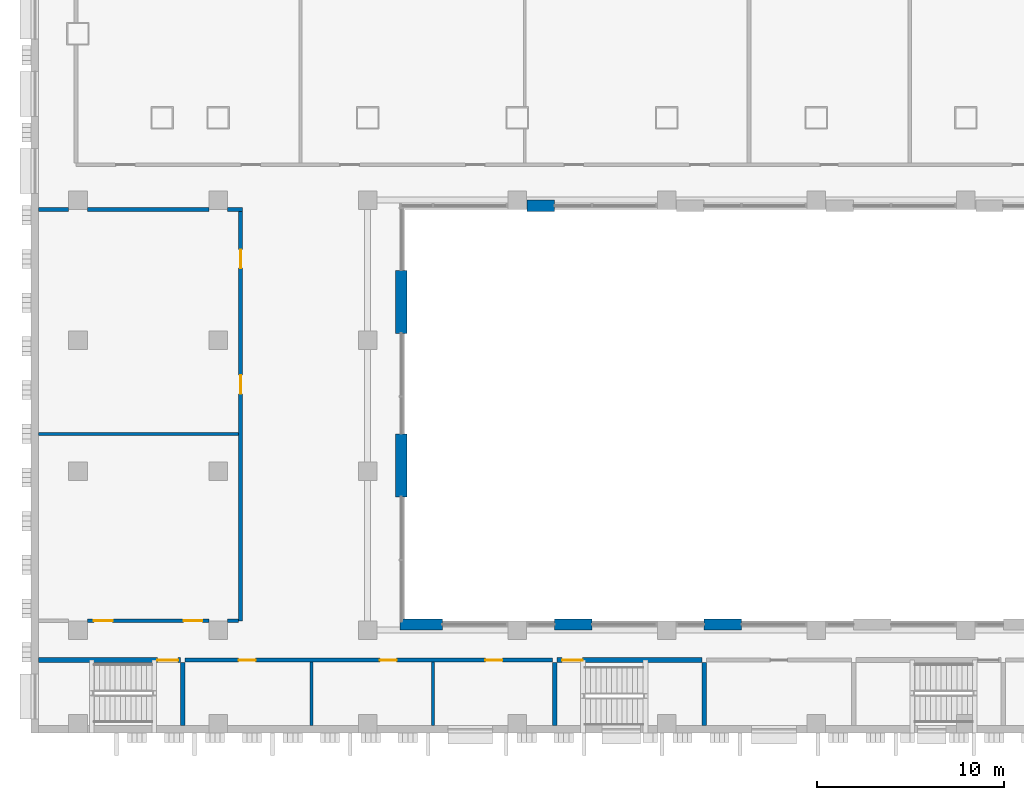
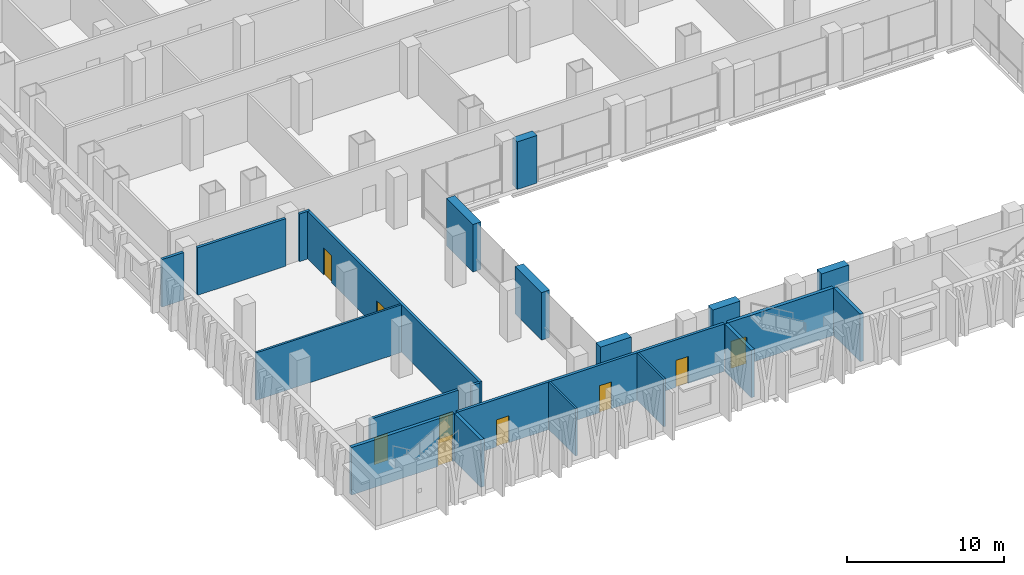
# One storey, part 7 of 25: 21 walls, 9 doors, 9 openings.
"""IFC4 building model written with IfcOpenShell, lengths in metres."""

from ifc_helpers import new_model, si_unit, direction, frame, frame_2d, origin, place, context, subcontext, project, spatial, rectangle, extrude, material, layer, layer_set, type_object, element, fill, save


model = new_model("IFC4")

# Units and contexts
model_context = context("Model", 3, precision=1e-05, world=origin(), true_north=direction((0.0, 1.0)))
body_context = subcontext(model_context, "Body", "Model", "MODEL_VIEW")
ifc_project = project(units=[si_unit("LENGTHUNIT", "METRE"), si_unit("AREAUNIT", "SQUARE_METRE"), si_unit("VOLUMEUNIT", "CUBIC_METRE"), si_unit("PLANEANGLEUNIT", "RADIAN"), si_unit("MASSUNIT", "GRAM", prefix="KILO")], contexts=[model_context])

# Site, building, storey
site_placement = place(None, origin())
site = spatial("IfcSite", under=ifc_project, at=site_placement, CompositionType="ELEMENT")
building_placement = place(site_placement, origin())
building = spatial("IfcBuilding", under=site, at=building_placement, Name="Vidyagriha Tower", CompositionType="ELEMENT")
storey_placement = place(building_placement, frame((0.0, 0.0, 14.0)))
storey = spatial("IfcBuildingStorey", under=building, at=storey_placement, Name="L03", CompositionType="ELEMENT", Elevation=14.0)

# Walls
ifc_material_1 = material(Name="Precast concrete C40/50 with brick facing", Category="concrete")
ifc_layer_1 = layer(ifc_material_1, 0.60009765625)
ifc_layer_set_1 = layer_set([ifc_layer_1], Name="Precast concrete C40/50 with brick facing")
wall_type_1 = type_object("IfcWallType", Name="Brick-faced precast wall 600", PredefinedType="STANDARD", material=ifc_layer_set_1)
for number, where, z_axis, x_axis, name in (
    (1, (-2.0, -44.199951171875, 0.0), (0.0, 0.0, 1.0), (-1.0, 0.0, 0.0), "Brick door bay wall L03 R07.12"),
    (2, (-10.0, -44.199951171875, 0.0), (0.0, 0.0, 1.0), (-1.0, 0.0, 0.0), "Brick door bay wall L03 R07.16"),
):
    element("IfcWall", number, at=place(storey_placement, frame(where, z_axis=z_axis, x_axis=x_axis)), inside=storey, type_object=wall_type_1, Name=name, PredefinedType="STANDARD", context=body_context, shape_type="SweptSolid", body=[
        extrude(rectangle(XDim=2.0, YDim=0.60009765625, at=frame_2d((1.0, 0.0))), origin(), (0.0, 0.0, 1.0), 3.699951171875),
    ])
wall_1_placement = place(storey_placement, frame((-18.0, -44.199951171875, 0.0), z_axis=(0.0, 0.0, 1.0), x_axis=(-1.0, 0.0, 0.0)))
element("IfcWall", 3, at=wall_1_placement, inside=storey, type_object=wall_type_1, Name="Brick door bay wall L03 R07.20", PredefinedType="STANDARD", context=body_context, shape_type="SweptSolid", body=[
    extrude(rectangle(XDim=2.280029296875, YDim=0.60009765625, at=frame_2d((1.14013671875, 0.0))), origin(), (0.0, 0.0, 1.0), 3.699951171875),
])
for number, where, z_axis, x_axis, name in (
    (4, (-20.199951171875, -37.373291015625, 0.0), (0.0, 0.0, 1.0), (0.0, 1.0, 0.0), "Brick door bay wall L03 R08.3"),
    (5, (-20.199951171875, -28.626708984375, 0.0), (0.0, 0.0, 1.0), (0.0, 1.0, 0.0), "Brick door bay wall L03 R08.6"),
):
    element("IfcWall", number, at=place(storey_placement, frame(where, z_axis=z_axis, x_axis=x_axis)), inside=storey, type_object=wall_type_1, Name=name, PredefinedType="STANDARD", context=body_context, shape_type="SweptSolid", body=[
        extrude(rectangle(XDim=3.373291015625, YDim=0.60009765625, at=frame_2d((1.6865234375, 0.0))), origin(), (0.0, 0.0, 1.0), 3.699951171875),
    ])
wall_2_placement = place(storey_placement, frame((-13.469970703125, -21.800048828125, 0.0)))
element("IfcWall", 6, at=wall_2_placement, inside=storey, type_object=wall_type_1, Name="Brick door bay wall L03 R09.4", PredefinedType="STANDARD", context=body_context, shape_type="SweptSolid", body=[
    extrude(rectangle(XDim=1.469970703125, YDim=0.60009765625, at=frame_2d((0.73486328125, 0.0))), origin(), (0.0, 0.0, 1.0), 3.699951171875),
])

# Wall, opening, door
ifc_material_2 = material(Name="Concrete C32/40", Category="concrete")
ifc_layer_2 = layer(ifc_material_2, 0.25)
ifc_layer_set_2 = layer_set([ifc_layer_2], Name="Concrete C32/40")
wall_type_2 = type_object("IfcWallType", Name="Concrete Stair Enclosure Wall 250", PredefinedType="SOLIDWALL", material=ifc_layer_set_2)
wall_3_placement = place(storey_placement, frame((-39.60009765625, -46.10009765625, 0.0)))
wall_3 = element("IfcWall", 7, at=wall_3_placement, inside=storey, type_object=wall_type_2, Name="L03 Concrete Stair Enclosure Wall 250 003", PredefinedType="SOLIDWALL", context=body_context, shape_type="SweptSolid", body=[
    extrude(rectangle(XDim=7.5751953125, YDim=0.25, at=frame_2d((3.78759765625, 0.0))), origin(), (0.0, 0.0, 1.0), 3.699951171875),
])
opening_1_placement = place(wall_3_placement, frame((6.35498046875, 0.0, 0.0)))
opening_1 = element("IfcOpeningElement", 8, at=opening_1_placement, cuts=wall_3, Name="Opening D03-64", PredefinedType="OPENING", context=body_context, shape_type="SweptSolid", body=[
    extrude(rectangle(XDim=1.10009765625, YDim=2.10009765625, at=frame_2d((0.550048828125, 1.050048828125))), frame((0.0, 0.135009765625, 0.0), z_axis=(0.0, -1.0, 0.0), x_axis=(1.0, 0.0, 0.0)), (0.0, 0.0, 1.0), 0.27001953125),
])
ifc_material_3 = material(Name="Steel fire door set", Category="steel")
door_type_1 = type_object("IfcDoorType", Name="Podium Door 1100x2100 EI 90", OperationType="NOTDEFINED", PredefinedType="DOOR", material=ifc_material_3)
door_1_placement = place(opening_1_placement, origin())
door_1 = element("IfcDoor", 9, at=door_1_placement, inside=storey, type_object=door_type_1, Name="L03 door D03-64", OperationType="SINGLE_SWING_RIGHT", OverallHeight=2.10009765625, OverallWidth=1.10009765625, PredefinedType="DOOR", context=body_context, shape_type="SweptSolid", body=[
    extrude(rectangle(XDim=1.10009765625, YDim=2.10009765625, at=frame_2d((0.550048828125, 1.050048828125))), frame((0.0, 0.02490234375, 0.0), z_axis=(0.0, -1.0, 0.0), x_axis=(1.0, 0.0, 0.0)), (0.0, 0.0, 1.0), 0.050048828125),
])
fill(opening_1, door_1)

wall_4_placement = place(storey_placement, frame((-11.875, -46.10009765625, 0.0)))
wall_4 = element("IfcWall", 10, at=wall_4_placement, inside=storey, type_object=wall_type_2, Name="L03 Concrete Stair Enclosure Wall 250 004", PredefinedType="SOLIDWALL", context=body_context, shape_type="SweptSolid", body=[
    extrude(rectangle(XDim=7.75, YDim=0.25, at=frame_2d((3.875, 0.0))), origin(), (0.0, 0.0, 1.0), 3.699951171875),
])
opening_2_placement = place(wall_4_placement, frame((0.27001953125, 0.0, 0.0)))
opening_2 = element("IfcOpeningElement", 11, at=opening_2_placement, cuts=wall_4, Name="Opening D03-66", PredefinedType="OPENING", context=body_context, shape_type="SweptSolid", body=[
    extrude(rectangle(XDim=1.10009765625, YDim=2.10009765625, at=frame_2d((0.550048828125, 1.050048828125))), frame((0.0, 0.135009765625, 0.0), z_axis=(0.0, -1.0, 0.0), x_axis=(1.0, 0.0, 0.0)), (0.0, 0.0, 1.0), 0.27001953125),
])
door_2_placement = place(opening_2_placement, origin())
door_2 = element("IfcDoor", 12, at=door_2_placement, inside=storey, type_object=door_type_1, Name="L03 door D03-66", OperationType="SINGLE_SWING_LEFT", OverallHeight=2.10009765625, OverallWidth=1.10009765625, PredefinedType="DOOR", context=body_context, shape_type="SweptSolid", body=[
    extrude(rectangle(XDim=1.10009765625, YDim=2.10009765625, at=frame_2d((0.550048828125, 1.050048828125))), frame((0.0, 0.02490234375, 0.0), z_axis=(0.0, -1.0, 0.0), x_axis=(1.0, 0.0, 0.0)), (0.0, 0.0, 1.0), 0.050048828125),
])
fill(opening_2, door_2)

# Walls
for number, where, z_axis, x_axis, name in (
    (13, (-31.89990234375, -49.60009765625, 0.0), (0.0, 0.0, 1.0), (0.0, 1.0, 0.0), "L03 Concrete Stair Enclosure Wall 250 044"),
    (14, (-12.0, -49.60009765625, 0.0), (0.0, 0.0, 1.0), (0.0, 1.0, 0.0), "L03 Concrete Stair Enclosure Wall 250 058"),
    (15, (-4.0, -49.60009765625, 0.0), (0.0, 0.0, 1.0), (0.0, 1.0, 0.0), "L03 Concrete Stair Enclosure Wall 250 060"),
):
    element("IfcWall", number, at=place(storey_placement, frame(where, z_axis=z_axis, x_axis=x_axis)), inside=storey, type_object=wall_type_2, Name=name, PredefinedType="SOLIDWALL", context=body_context, shape_type="SweptSolid", body=[
        extrude(rectangle(XDim=3.375, YDim=0.25, at=frame_2d((1.6875, 0.0))), origin(), (0.0, 0.0, 1.0), 3.699951171875),
    ])

# Wall, openings, doors
ifc_material_4 = material(Name="Fire rated gypsum board on light gauge framing")
ifc_layer_3 = layer(ifc_material_4, 0.199951171875)
ifc_layer_set_3 = layer_set([ifc_layer_3], Name="Fire rated gypsum board on light gauge framing")
wall_type_3 = type_object("IfcWallType", Name="Fire Rated Corridor Wall 200", PredefinedType="PARTITIONING", material=ifc_layer_set_3)
wall_5_placement = place(storey_placement, frame((-31.77490234375, -46.10009765625, 0.0)))
wall_5 = element("IfcWall", 16, at=wall_5_placement, inside=storey, type_object=wall_type_3, Name="L03 Fire Rated Corridor Wall 200 000", PredefinedType="PARTITIONING", context=body_context, shape_type="SweptSolid", body=[
    extrude(rectangle(XDim=19.64990234375, YDim=0.199951171875, at=frame_2d((9.824951171875, 0.0))), origin(), (0.0, 0.0, 1.0), 3.699951171875),
])
opening_3_placement = place(wall_5_placement, frame((2.875, 0.0, 0.0)))
opening_3 = element("IfcOpeningElement", 17, at=opening_3_placement, cuts=wall_5, Name="Opening D03-22", PredefinedType="OPENING", context=body_context, shape_type="SweptSolid", body=[
    extrude(rectangle(XDim=0.89990234375, YDim=2.10009765625, at=frame_2d((0.449951171875, 1.050048828125))), frame((0.0, 0.10986328125, 0.0), z_axis=(0.0, -1.0, 0.0), x_axis=(1.0, 0.0, 0.0)), (0.0, 0.0, 1.0), 0.219970703125),
])
opening_4_placement = place(wall_5_placement, frame((10.425048828125, 0.0, 0.0)))
opening_4 = element("IfcOpeningElement", 18, at=opening_4_placement, cuts=wall_5, Name="Opening D03-23", PredefinedType="OPENING", context=body_context, shape_type="SweptSolid", body=[
    extrude(rectangle(XDim=0.89990234375, YDim=2.10009765625, at=frame_2d((0.449951171875, 1.050048828125))), frame((0.0, 0.10986328125, 0.0), z_axis=(0.0, -1.0, 0.0), x_axis=(1.0, 0.0, 0.0)), (0.0, 0.0, 1.0), 0.219970703125),
])
opening_5_placement = place(wall_5_placement, frame((16.074951171875, 0.0, 0.0)))
opening_5 = element("IfcOpeningElement", 19, at=opening_5_placement, cuts=wall_5, Name="Opening D03-24", PredefinedType="OPENING", context=body_context, shape_type="SweptSolid", body=[
    extrude(rectangle(XDim=0.89990234375, YDim=2.10009765625, at=frame_2d((0.449951171875, 1.050048828125))), frame((0.0, 0.10986328125, 0.0), z_axis=(0.0, -1.0, 0.0), x_axis=(1.0, 0.0, 0.0)), (0.0, 0.0, 1.0), 0.219970703125),
])
ifc_material_5 = material(Name="Steel fire door set", Category="steel")
door_type_2 = type_object("IfcDoorType", Name="Podium Door 900x2100 EI 30", OperationType="NOTDEFINED", PredefinedType="DOOR", material=ifc_material_5)
door_3_placement = place(opening_3_placement, frame((0.89990234375, 0.0, 0.0), z_axis=(0.0, 0.0, 1.0), x_axis=(-1.0, 0.0, 0.0)))
door_3 = element("IfcDoor", 20, at=door_3_placement, inside=storey, type_object=door_type_2, Name="L03 door D03-22", OperationType="SINGLE_SWING_LEFT", OverallHeight=2.10009765625, OverallWidth=0.89990234375, PredefinedType="DOOR", context=body_context, shape_type="SweptSolid", body=[
    extrude(rectangle(XDim=0.89990234375, YDim=2.10009765625, at=frame_2d((0.449951171875, 1.050048828125))), frame((0.0, 0.02490234375, 0.0), z_axis=(0.0, -1.0, 0.0), x_axis=(1.0, 0.0, 0.0)), (0.0, 0.0, 1.0), 0.050048828125),
])
fill(opening_3, door_3)
door_4_placement = place(opening_4_placement, frame((0.89990234375, 0.0, 0.0), z_axis=(0.0, 0.0, 1.0), x_axis=(-1.0, 0.0, 0.0)))
door_4 = element("IfcDoor", 21, at=door_4_placement, inside=storey, type_object=door_type_2, Name="L03 door D03-23", OperationType="SINGLE_SWING_RIGHT", OverallHeight=2.10009765625, OverallWidth=0.89990234375, PredefinedType="DOOR", context=body_context, shape_type="SweptSolid", body=[
    extrude(rectangle(XDim=0.89990234375, YDim=2.10009765625, at=frame_2d((0.449951171875, 1.050048828125))), frame((0.0, 0.02490234375, 0.0), z_axis=(0.0, -1.0, 0.0), x_axis=(1.0, 0.0, 0.0)), (0.0, 0.0, 1.0), 0.050048828125),
])
fill(opening_4, door_4)
door_5_placement = place(opening_5_placement, frame((0.89990234375, 0.0, 0.0), z_axis=(0.0, 0.0, 1.0), x_axis=(-1.0, 0.0, 0.0)))
door_5 = element("IfcDoor", 22, at=door_5_placement, inside=storey, type_object=door_type_2, Name="L03 door D03-24", OperationType="SINGLE_SWING_RIGHT", OverallHeight=2.10009765625, OverallWidth=0.89990234375, PredefinedType="DOOR", context=body_context, shape_type="SweptSolid", body=[
    extrude(rectangle(XDim=0.89990234375, YDim=2.10009765625, at=frame_2d((0.449951171875, 1.050048828125))), frame((0.0, 0.02490234375, 0.0), z_axis=(0.0, -1.0, 0.0), x_axis=(1.0, 0.0, 0.0)), (0.0, 0.0, 1.0), 0.050048828125),
])
fill(opening_5, door_5)

wall_6_placement = place(storey_placement, frame((-37.0, -44.0, 0.0)))
wall_6 = element("IfcWall", 23, at=wall_6_placement, inside=storey, type_object=wall_type_3, Name="L03 Fire Rated Corridor Wall 200 008", PredefinedType="PARTITIONING", context=body_context, shape_type="SweptSolid", body=[
    extrude(rectangle(XDim=6.5, YDim=0.199951171875, at=frame_2d((3.25, 0.0))), origin(), (0.0, 0.0, 1.0), 3.699951171875),
])
opening_6_placement = place(wall_6_placement, frame((0.35009765625, 0.0, 0.0)))
opening_6 = element("IfcOpeningElement", 24, at=opening_6_placement, cuts=wall_6, Name="Opening D03-14", PredefinedType="OPENING", context=body_context, shape_type="SweptSolid", body=[
    extrude(rectangle(XDim=1.0, YDim=2.10009765625, at=frame_2d((0.5, 1.050048828125))), frame((0.0, 0.10986328125, 0.0), z_axis=(0.0, -1.0, 0.0), x_axis=(1.0, 0.0, 0.0)), (0.0, 0.0, 1.0), 0.219970703125),
])
opening_7_placement = place(wall_6_placement, frame((5.14990234375, 0.0, 0.0)))
opening_7 = element("IfcOpeningElement", 25, at=opening_7_placement, cuts=wall_6, Name="Opening D03-15", PredefinedType="OPENING", context=body_context, shape_type="SweptSolid", body=[
    extrude(rectangle(XDim=1.0, YDim=2.10009765625, at=frame_2d((0.5, 1.050048828125))), frame((0.0, 0.10986328125, 0.0), z_axis=(0.0, -1.0, 0.0), x_axis=(1.0, 0.0, 0.0)), (0.0, 0.0, 1.0), 0.219970703125),
])
ifc_material_6 = material(Name="Steel fire door set", Category="steel")
door_type_3 = type_object("IfcDoorType", Name="Podium Door 1000x2100 EI 30", OperationType="NOTDEFINED", PredefinedType="DOOR", material=ifc_material_6)
door_6_placement = place(opening_6_placement, origin())
door_6 = element("IfcDoor", 26, at=door_6_placement, inside=storey, type_object=door_type_3, Name="L03 door D03-14", OperationType="SINGLE_SWING_LEFT", OverallHeight=2.10009765625, OverallWidth=1.0, PredefinedType="DOOR", context=body_context, shape_type="SweptSolid", body=[
    extrude(rectangle(XDim=1.0, YDim=2.10009765625, at=frame_2d((0.5, 1.050048828125))), frame((0.0, 0.02490234375, 0.0), z_axis=(0.0, -1.0, 0.0), x_axis=(1.0, 0.0, 0.0)), (0.0, 0.0, 1.0), 0.050048828125),
])
fill(opening_6, door_6)
door_7_placement = place(opening_7_placement, origin())
door_7 = element("IfcDoor", 27, at=door_7_placement, inside=storey, type_object=door_type_3, Name="L03 door D03-15", OperationType="SINGLE_SWING_RIGHT", OverallHeight=2.10009765625, OverallWidth=1.0, PredefinedType="DOOR", context=body_context, shape_type="SweptSolid", body=[
    extrude(rectangle(XDim=1.0, YDim=2.10009765625, at=frame_2d((0.5, 1.050048828125))), frame((0.0, 0.02490234375, 0.0), z_axis=(0.0, -1.0, 0.0), x_axis=(1.0, 0.0, 0.0)), (0.0, 0.0, 1.0), 0.050048828125),
])
fill(opening_7, door_7)

# Walls
wall_7_placement = place(storey_placement, frame((-29.5, -44.0, 0.0)))
element("IfcWall", 28, at=wall_7_placement, inside=storey, type_object=wall_type_3, Name="L03 Fire Rated Corridor Wall 200 009", PredefinedType="PARTITIONING", context=body_context, shape_type="SweptSolid", body=[
    extrude(rectangle(XDim=0.599853515625, YDim=0.199951171875, at=frame_2d((0.2998046875, 0.0))), origin(), (0.0, 0.0, 1.0), 3.699951171875),
])
wall_8_placement = place(storey_placement, frame((-39.60009765625, -22.0, 0.0)))
element("IfcWall", 29, at=wall_8_placement, inside=storey, type_object=wall_type_3, Name="L03 Fire Rated Corridor Wall 200 015", PredefinedType="PARTITIONING", context=body_context, shape_type="SweptSolid", body=[
    extrude(rectangle(XDim=1.60009765625, YDim=0.199951171875, at=frame_2d((0.800048828125, 0.0))), origin(), (0.0, 0.0, 1.0), 3.699951171875),
])
wall_9_placement = place(storey_placement, frame((-37.0, -22.0, 0.0)))
element("IfcWall", 30, at=wall_9_placement, inside=storey, type_object=wall_type_3, Name="L03 Fire Rated Corridor Wall 200 016", PredefinedType="PARTITIONING", context=body_context, shape_type="SweptSolid", body=[
    extrude(rectangle(XDim=6.5, YDim=0.199951171875, at=frame_2d((3.25, 0.0))), origin(), (0.0, 0.0, 1.0), 3.699951171875),
])
wall_10_placement = place(storey_placement, frame((-29.5, -22.0, 0.0)))
element("IfcWall", 31, at=wall_10_placement, inside=storey, type_object=wall_type_3, Name="L03 Fire Rated Corridor Wall 200 017", PredefinedType="PARTITIONING", context=body_context, shape_type="SweptSolid", body=[
    extrude(rectangle(XDim=0.7998046875, YDim=0.199951171875, at=frame_2d((0.39990234375, 0.0))), origin(), (0.0, 0.0, 1.0), 3.699951171875),
])

# Wall, openings, doors
wall_11_placement = place(storey_placement, frame((-28.800048828125, -44.0, 0.0), z_axis=(0.0, 0.0, 1.0), x_axis=(0.0, 1.0, 0.0)))
wall_11 = element("IfcWall", 32, at=wall_11_placement, inside=storey, type_object=wall_type_3, Name="L03 Fire Rated Corridor Wall 200 045", PredefinedType="PARTITIONING", context=body_context, shape_type="SweptSolid", body=[
    extrude(rectangle(XDim=21.89990234375, YDim=0.199951171875, at=frame_2d((10.949951171875, 0.0))), origin(), (0.0, 0.0, 1.0), 3.699951171875),
])
opening_8_placement = place(wall_11_placement, frame((12.139892578125, 0.0, 0.0)))
opening_8 = element("IfcOpeningElement", 33, at=opening_8_placement, cuts=wall_11, Name="Opening D03-16", PredefinedType="OPENING", context=body_context, shape_type="SweptSolid", body=[
    extrude(rectangle(XDim=1.0, YDim=2.10009765625, at=frame_2d((0.5, 1.050048828125))), frame((0.0, 0.10986328125, 0.0), z_axis=(0.0, -1.0, 0.0), x_axis=(1.0, 0.0, 0.0)), (0.0, 0.0, 1.0), 0.219970703125),
])
opening_9_placement = place(wall_11_placement, frame((18.85986328125, 0.0, 0.0)))
opening_9 = element("IfcOpeningElement", 34, at=opening_9_placement, cuts=wall_11, Name="Opening D03-17", PredefinedType="OPENING", context=body_context, shape_type="SweptSolid", body=[
    extrude(rectangle(XDim=1.0, YDim=2.10009765625, at=frame_2d((0.5, 1.050048828125))), frame((0.0, 0.10986328125, 0.0), z_axis=(0.0, -1.0, 0.0), x_axis=(1.0, 0.0, 0.0)), (0.0, 0.0, 1.0), 0.219970703125),
])
door_8_placement = place(opening_8_placement, origin())
door_8 = element("IfcDoor", 35, at=door_8_placement, inside=storey, type_object=door_type_3, Name="L03 door D03-16", OperationType="SINGLE_SWING_RIGHT", OverallHeight=2.10009765625, OverallWidth=1.0, PredefinedType="DOOR", context=body_context, shape_type="SweptSolid", body=[
    extrude(rectangle(XDim=1.0, YDim=2.10009765625, at=frame_2d((0.5, 1.050048828125))), frame((0.0, 0.02490234375, 0.0), z_axis=(0.0, -1.0, 0.0), x_axis=(1.0, 0.0, 0.0)), (0.0, 0.0, 1.0), 0.050048828125),
])
fill(opening_8, door_8)
door_9_placement = place(opening_9_placement, origin())
door_9 = element("IfcDoor", 36, at=door_9_placement, inside=storey, type_object=door_type_3, Name="L03 door D03-17", OperationType="SINGLE_SWING_RIGHT", OverallHeight=2.10009765625, OverallWidth=1.0, PredefinedType="DOOR", context=body_context, shape_type="SweptSolid", body=[
    extrude(rectangle(XDim=1.0, YDim=2.10009765625, at=frame_2d((0.5, 1.050048828125))), frame((0.0, 0.02490234375, 0.0), z_axis=(0.0, -1.0, 0.0), x_axis=(1.0, 0.0, 0.0)), (0.0, 0.0, 1.0), 0.050048828125),
])
fill(opening_9, door_9)

# Walls
ifc_material_7 = material(Name="Gypsum board on light gauge framing")
ifc_layer_4 = layer(ifc_material_7, 0.14990234375)
ifc_layer_set_4 = layer_set([ifc_layer_4], Name="Gypsum board on light gauge framing")
wall_type_4 = type_object("IfcWallType", Name="Gypsum Board Partition 150", PredefinedType="PARTITIONING", material=ifc_layer_set_4)
wall_12_placement = place(storey_placement, frame((-39.60009765625, -34.0, 0.0)))
element("IfcWall", 37, at=wall_12_placement, inside=storey, type_object=wall_type_4, Name="L03 Gypsum Board Partition 150 013", PredefinedType="PARTITIONING", context=body_context, shape_type="SweptSolid", body=[
    extrude(rectangle(XDim=10.7001953125, YDim=0.14990234375, at=frame_2d((5.35009765625, 0.0))), origin(), (0.0, 0.0, 1.0), 3.699951171875),
])
for number, where, z_axis, x_axis, name in (
    (38, (-25.0, -49.60009765625, 0.0), (0.0, 0.0, 1.0), (0.0, 1.0, 0.0), "L03 Gypsum Board Partition 150 051"),
    (39, (-18.5, -49.60009765625, 0.0), (0.0, 0.0, 1.0), (0.0, 1.0, 0.0), "L03 Gypsum Board Partition 150 053"),
):
    element("IfcWall", number, at=place(storey_placement, frame(where, z_axis=z_axis, x_axis=x_axis)), inside=storey, type_object=wall_type_4, Name=name, PredefinedType="PARTITIONING", context=body_context, shape_type="SweptSolid", body=[
        extrude(rectangle(XDim=3.400146484375, YDim=0.14990234375, at=frame_2d((1.7001953125, 0.0))), origin(), (0.0, 0.0, 1.0), 3.699951171875),
    ])

save(model, "model.ifc")
